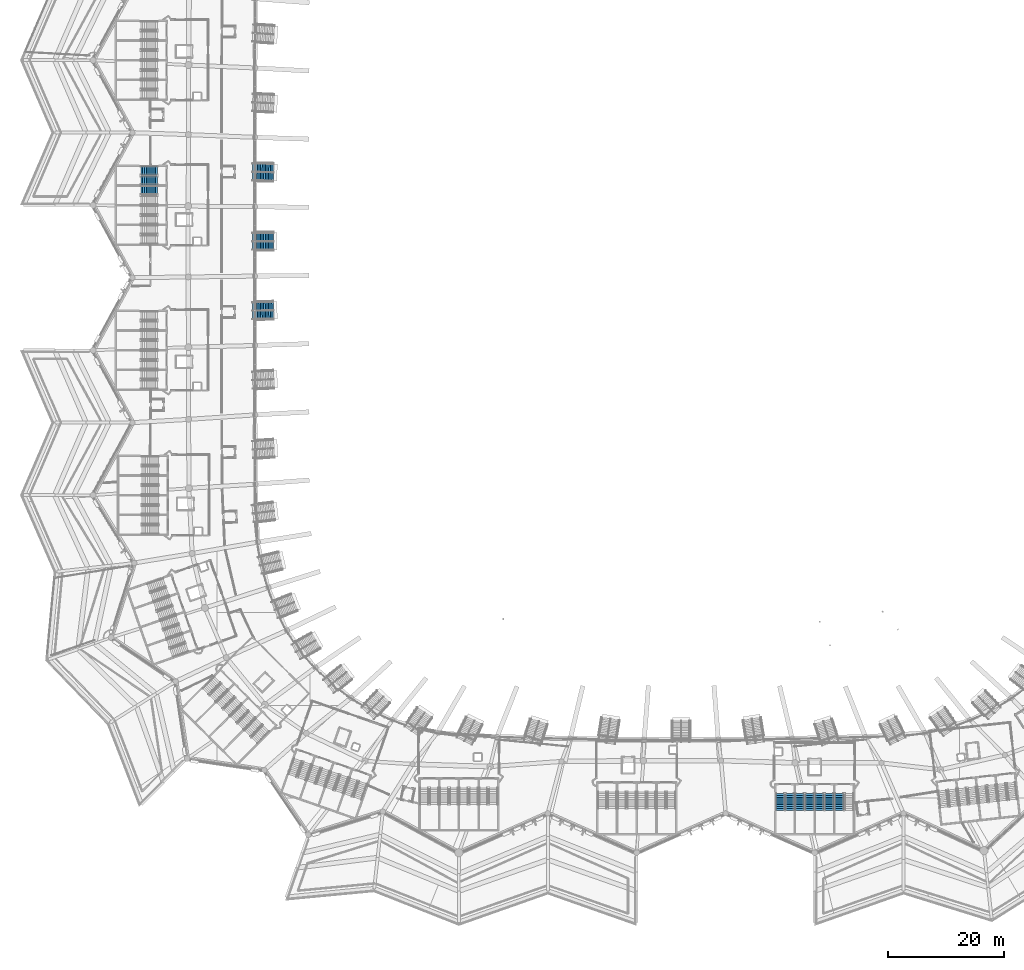
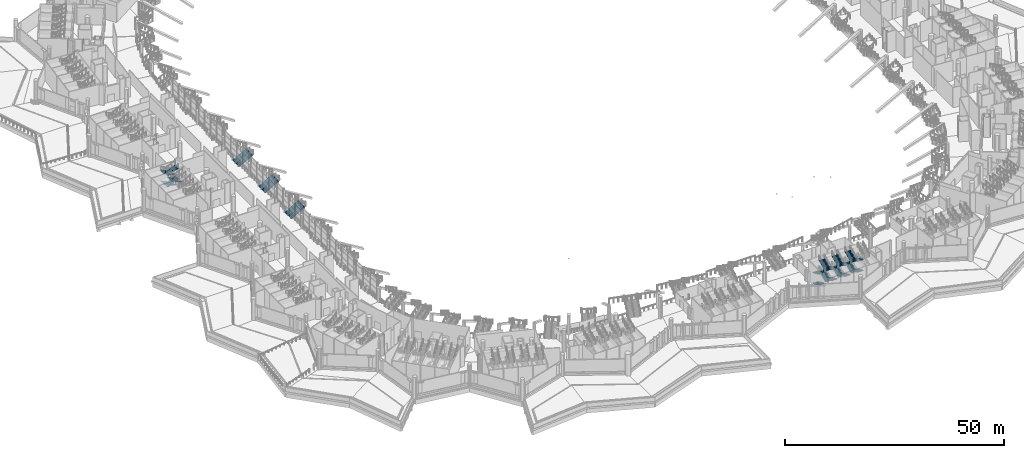
# One storey, part 86 of 173: 25 stair flights, 9 elements without a shape of their own.
"""IFC4 building model written with IfcOpenShell, lengths in metres."""

from ifc_helpers import new_model, si_unit, direction, frame, origin, place, context, subcontext, project, spatial, polyline, outline, extrude, material, type_object, element, aggregate, save


model = new_model("IFC4")

# Units and contexts
model_context = context("Model", 3, precision=1e-05, world=origin(), true_north=direction((0.0, 1.0)))
body_context = subcontext(model_context, "Body", "Model", "MODEL_VIEW")
ifc_project = project(units=[si_unit("LENGTHUNIT", "METRE"), si_unit("AREAUNIT", "SQUARE_METRE"), si_unit("VOLUMEUNIT", "CUBIC_METRE"), si_unit("PLANEANGLEUNIT", "RADIAN"), si_unit("MASSUNIT", "GRAM", prefix="KILO")], contexts=[model_context])

# Site, building, storey
site_placement = place(None, origin())
site = spatial("IfcSite", under=ifc_project, at=site_placement, CompositionType="ELEMENT")
building_placement = place(site_placement, origin())
building = spatial("IfcBuilding", under=site, at=building_placement, Name="Meseta Stadium", CompositionType="ELEMENT")
storey_placement = place(building_placement, frame((0.0, 0.0, 18.0)))
storey = spatial("IfcBuildingStorey", under=building, at=storey_placement, Name="L03", CompositionType="ELEMENT", Elevation=18.0)

# Stair, stair flights
ifc_material_1 = material(Name="Concrete C40/50", Category="concrete")
stair_type_1 = type_object("IfcStairType", Name="Exit stair 4 flights 150 mm risers", PredefinedType="HALF_TURN_STAIR", material=ifc_material_1)
stair_1_placement = place(storey_placement, origin())
stair_1 = element("IfcStair", 1, at=stair_1_placement, inside=storey, type_object=stair_type_1, Name="ST65 L03", PredefinedType="HALF_TURN_STAIR")
ifc_material_2 = material(Name="Concrete C40/50", Category="concrete")
stair_flight_type_1 = type_object("IfcStairFlightType", Name="Exit stair flight 150 mm risers, 4 per storey", PredefinedType="STRAIGHT", material=ifc_material_2)
stair_flight_1_placement = place(storey_placement, frame((-90.300048828125, 12.199951171875, 0.0), z_axis=(0.0, 0.0, 1.0), x_axis=(-1.0, 0.0, 0.0)))
stair_flight_1 = element("IfcStairFlight", 2, at=stair_flight_1_placement, type_object=stair_flight_type_1, Name="ST65 L03 flight 1", NumberOfRisers=10, NumberOfTreads=9, PredefinedType="STRAIGHT", RiserHeight=0.15, TreadLength=0.32, context=body_context, shape_type="SweptSolid", body=[
    extrude(outline(polyline([(0.0, 0.0), (0.0, 0.14990234375), (0.320068359375, 0.14990234375), (0.320068359375, 0.300048828125), (0.639892578125, 0.300048828125), (0.639892578125, 0.449951171875), (0.9599609375, 0.449951171875), (0.9599609375, 0.60009765625), (1.280029296875, 0.60009765625), (1.280029296875, 0.75), (1.60009765625, 0.75), (1.60009765625, 0.89990234375), (1.919921875, 0.89990234375), (1.919921875, 1.050048828125), (2.239990234375, 1.050048828125), (2.239990234375, 1.199951171875), (2.56005859375, 1.199951171875), (2.56005859375, 1.35009765625), (2.8798828125, 1.35009765625), (2.8798828125, 1.184326171875), (0.353271484375, 0.0), (0.0, 0.0)])), frame((0.0, 0.75, 0.0), z_axis=(0.0, -1.0, 0.0), x_axis=(1.0, 0.0, 0.0)), (0.0, 0.0, 1.0), 1.5),
])
stair_flight_2_placement = place(storey_placement, frame((-93.179931640625, 10.5, 1.5), z_axis=(0.0, 0.0, 1.0), x_axis=(1.0, 0.0, 0.0)))
stair_flight_2 = element("IfcStairFlight", 3, at=stair_flight_2_placement, type_object=stair_flight_type_1, Name="ST65 L03 flight 2", NumberOfRisers=10, NumberOfTreads=9, PredefinedType="STRAIGHT", RiserHeight=0.15, TreadLength=0.32, context=body_context, shape_type="SweptSolid", body=[
    extrude(outline(polyline([(0.0, 0.0), (0.0, 0.14990234375), (0.320068359375, 0.14990234375), (0.320068359375, 0.300048828125), (0.639892578125, 0.300048828125), (0.639892578125, 0.449951171875), (0.9599609375, 0.449951171875), (0.9599609375, 0.60009765625), (1.280029296875, 0.60009765625), (1.280029296875, 0.75), (1.60009765625, 0.75), (1.60009765625, 0.89990234375), (1.919921875, 0.89990234375), (1.919921875, 1.050048828125), (2.239990234375, 1.050048828125), (2.239990234375, 1.199951171875), (2.56005859375, 1.199951171875), (2.56005859375, 1.35009765625), (2.8798828125, 1.35009765625), (2.8798828125, 1.184326171875), (0.353271484375, 0.0), (0.0, 0.0)])), frame((0.0, 0.75, 0.0), z_axis=(0.0, -1.0, 0.0), x_axis=(1.0, 0.0, 0.0)), (0.0, 0.0, 1.0), 1.5),
])
stair_flight_3_placement = place(storey_placement, frame((-90.300048828125, 12.199951171875, 3.0), z_axis=(0.0, 0.0, 1.0), x_axis=(-1.0, 0.0, 0.0)))
stair_flight_3 = element("IfcStairFlight", 4, at=stair_flight_3_placement, type_object=stair_flight_type_1, Name="ST65 L03 flight 3", NumberOfRisers=10, NumberOfTreads=9, PredefinedType="STRAIGHT", RiserHeight=0.15, TreadLength=0.32, context=body_context, shape_type="SweptSolid", body=[
    extrude(outline(polyline([(0.0, 0.0), (0.0, 0.14990234375), (0.320068359375, 0.14990234375), (0.320068359375, 0.300048828125), (0.639892578125, 0.300048828125), (0.639892578125, 0.449951171875), (0.9599609375, 0.449951171875), (0.9599609375, 0.60009765625), (1.280029296875, 0.60009765625), (1.280029296875, 0.75), (1.60009765625, 0.75), (1.60009765625, 0.89990234375), (1.919921875, 0.89990234375), (1.919921875, 1.050048828125), (2.239990234375, 1.050048828125), (2.239990234375, 1.199951171875), (2.56005859375, 1.199951171875), (2.56005859375, 1.35009765625), (2.8798828125, 1.35009765625), (2.8798828125, 1.184326171875), (0.353271484375, 0.0), (0.0, 0.0)])), frame((0.0, 0.75, 0.0), z_axis=(0.0, -1.0, 0.0), x_axis=(1.0, 0.0, 0.0)), (0.0, 0.0, 1.0), 1.5),
])
stair_flight_4_placement = place(storey_placement, frame((-93.179931640625, 10.5, 4.5), z_axis=(0.0, 0.0, 1.0), x_axis=(1.0, 0.0, 0.0)))
stair_flight_4 = element("IfcStairFlight", 5, at=stair_flight_4_placement, type_object=stair_flight_type_1, Name="ST65 L03 flight 4", NumberOfRisers=10, NumberOfTreads=9, PredefinedType="STRAIGHT", RiserHeight=0.15, TreadLength=0.32, context=body_context, shape_type="SweptSolid", body=[
    extrude(outline(polyline([(0.0, 0.0), (0.0, 0.14990234375), (0.320068359375, 0.14990234375), (0.320068359375, 0.300048828125), (0.639892578125, 0.300048828125), (0.639892578125, 0.449951171875), (0.9599609375, 0.449951171875), (0.9599609375, 0.60009765625), (1.280029296875, 0.60009765625), (1.280029296875, 0.75), (1.60009765625, 0.75), (1.60009765625, 0.89990234375), (1.919921875, 0.89990234375), (1.919921875, 1.050048828125), (2.239990234375, 1.050048828125), (2.239990234375, 1.199951171875), (2.56005859375, 1.199951171875), (2.56005859375, 1.35009765625), (2.8798828125, 1.35009765625), (2.8798828125, 1.184326171875), (0.353271484375, 0.0), (0.0, 0.0)])), frame((0.0, 0.75, 0.0), z_axis=(0.0, -1.0, 0.0), x_axis=(1.0, 0.0, 0.0)), (0.0, 0.0, 1.0), 1.5),
])
aggregate(stair_1, [stair_flight_1, stair_flight_2, stair_flight_3, stair_flight_4])

# Stair, stair flight
stair_2_placement = place(storey_placement, origin())
stair_2 = element("IfcStair", 6, at=stair_2_placement, inside=storey, type_object=stair_type_1, Name="ST66 L03", PredefinedType="HALF_TURN_STAIR")
stair_flight_5_placement = place(storey_placement, frame((-90.300048828125, 8.800048828125, 3.0), z_axis=(0.0, 0.0, 1.0), x_axis=(-1.0, 0.0, 0.0)))
stair_flight_5 = element("IfcStairFlight", 7, at=stair_flight_5_placement, type_object=stair_flight_type_1, Name="ST66 L03 flight 3", NumberOfRisers=10, NumberOfTreads=9, PredefinedType="STRAIGHT", RiserHeight=0.15, TreadLength=0.32, context=body_context, shape_type="SweptSolid", body=[
    extrude(outline(polyline([(0.0, 0.0), (0.0, 0.14990234375), (0.320068359375, 0.14990234375), (0.320068359375, 0.300048828125), (0.639892578125, 0.300048828125), (0.639892578125, 0.449951171875), (0.9599609375, 0.449951171875), (0.9599609375, 0.60009765625), (1.280029296875, 0.60009765625), (1.280029296875, 0.75), (1.60009765625, 0.75), (1.60009765625, 0.89990234375), (1.919921875, 0.89990234375), (1.919921875, 1.050048828125), (2.239990234375, 1.050048828125), (2.239990234375, 1.199951171875), (2.56005859375, 1.199951171875), (2.56005859375, 1.35009765625), (2.8798828125, 1.35009765625), (2.8798828125, 1.184326171875), (0.353271484375, 0.0), (0.0, 0.0)])), frame((0.0, 0.75, 0.0), z_axis=(0.0, -1.0, 0.0), x_axis=(1.0, 0.0, 0.0)), (0.0, 0.0, 1.0), 1.5),
])
aggregate(stair_2, [stair_flight_5])

# Stair, stair flights
stair_3_placement = place(storey_placement, origin())
stair_3 = element("IfcStair", 8, at=stair_3_placement, inside=storey, type_object=stair_type_1, Name="ST97 L03", PredefinedType="HALF_TURN_STAIR")
stair_flight_6_placement = place(storey_placement, frame((17.050048828125, -95.199951171875, 0.0), z_axis=(0.0, 0.0, 1.0), x_axis=(0.0, -1.0, 0.0)))
stair_flight_6 = element("IfcStairFlight", 9, at=stair_flight_6_placement, type_object=stair_flight_type_1, Name="ST97 L03 flight 1", NumberOfRisers=10, NumberOfTreads=9, PredefinedType="STRAIGHT", RiserHeight=0.15, TreadLength=0.32, context=body_context, shape_type="SweptSolid", body=[
    extrude(outline(polyline([(0.0, 0.0), (0.0, 0.14990234375), (0.320068359375, 0.14990234375), (0.320068359375, 0.300048828125), (0.639892578125, 0.300048828125), (0.639892578125, 0.449951171875), (0.9599609375, 0.449951171875), (0.9599609375, 0.60009765625), (1.280029296875, 0.60009765625), (1.280029296875, 0.75), (1.60009765625, 0.75), (1.60009765625, 0.89990234375), (1.919921875, 0.89990234375), (1.919921875, 1.050048828125), (2.239990234375, 1.050048828125), (2.239990234375, 1.199951171875), (2.56005859375, 1.199951171875), (2.56005859375, 1.35009765625), (2.8798828125, 1.35009765625), (2.8798828125, 1.184326171875), (0.353271484375, 0.0), (0.0, 0.0)])), frame((0.0, 0.75, 0.0), z_axis=(0.0, -1.0, 0.0), x_axis=(1.0, 0.0, 0.0)), (0.0, 0.0, 1.0), 1.5),
])
stair_flight_7_placement = place(storey_placement, frame((18.75, -98.080078125, 1.5), z_axis=(0.0, 0.0, 1.0), x_axis=(0.0, 1.0, 0.0)))
stair_flight_7 = element("IfcStairFlight", 10, at=stair_flight_7_placement, type_object=stair_flight_type_1, Name="ST97 L03 flight 2", NumberOfRisers=10, NumberOfTreads=9, PredefinedType="STRAIGHT", RiserHeight=0.15, TreadLength=0.32, context=body_context, shape_type="SweptSolid", body=[
    extrude(outline(polyline([(0.0, 0.0), (0.0, 0.14990234375), (0.320068359375, 0.14990234375), (0.320068359375, 0.300048828125), (0.639892578125, 0.300048828125), (0.639892578125, 0.449951171875), (0.9599609375, 0.449951171875), (0.9599609375, 0.60009765625), (1.280029296875, 0.60009765625), (1.280029296875, 0.75), (1.60009765625, 0.75), (1.60009765625, 0.89990234375), (1.919921875, 0.89990234375), (1.919921875, 1.050048828125), (2.239990234375, 1.050048828125), (2.239990234375, 1.199951171875), (2.56005859375, 1.199951171875), (2.56005859375, 1.35009765625), (2.8798828125, 1.35009765625), (2.8798828125, 1.184326171875), (0.353271484375, 0.0), (0.0, 0.0)])), frame((0.0, 0.75, 0.0), z_axis=(0.0, -1.0, 0.0), x_axis=(1.0, 0.0, 0.0)), (0.0, 0.0, 1.0), 1.5),
])
stair_flight_8_placement = place(storey_placement, frame((17.050048828125, -95.199951171875, 3.0), z_axis=(0.0, 0.0, 1.0), x_axis=(0.0, -1.0, 0.0)))
stair_flight_8 = element("IfcStairFlight", 11, at=stair_flight_8_placement, type_object=stair_flight_type_1, Name="ST97 L03 flight 3", NumberOfRisers=10, NumberOfTreads=9, PredefinedType="STRAIGHT", RiserHeight=0.15, TreadLength=0.32, context=body_context, shape_type="SweptSolid", body=[
    extrude(outline(polyline([(0.0, 0.0), (0.0, 0.14990234375), (0.320068359375, 0.14990234375), (0.320068359375, 0.300048828125), (0.639892578125, 0.300048828125), (0.639892578125, 0.449951171875), (0.9599609375, 0.449951171875), (0.9599609375, 0.60009765625), (1.280029296875, 0.60009765625), (1.280029296875, 0.75), (1.60009765625, 0.75), (1.60009765625, 0.89990234375), (1.919921875, 0.89990234375), (1.919921875, 1.050048828125), (2.239990234375, 1.050048828125), (2.239990234375, 1.199951171875), (2.56005859375, 1.199951171875), (2.56005859375, 1.35009765625), (2.8798828125, 1.35009765625), (2.8798828125, 1.184326171875), (0.353271484375, 0.0), (0.0, 0.0)])), frame((0.0, 0.75, 0.0), z_axis=(0.0, -1.0, 0.0), x_axis=(1.0, 0.0, 0.0)), (0.0, 0.0, 1.0), 1.5),
])
stair_flight_9_placement = place(storey_placement, frame((18.75, -98.080078125, 4.5), z_axis=(0.0, 0.0, 1.0), x_axis=(0.0, 1.0, 0.0)))
stair_flight_9 = element("IfcStairFlight", 12, at=stair_flight_9_placement, type_object=stair_flight_type_1, Name="ST97 L03 flight 4", NumberOfRisers=10, NumberOfTreads=9, PredefinedType="STRAIGHT", RiserHeight=0.15, TreadLength=0.32, context=body_context, shape_type="SweptSolid", body=[
    extrude(outline(polyline([(0.0, 0.0), (0.0, 0.14990234375), (0.320068359375, 0.14990234375), (0.320068359375, 0.300048828125), (0.639892578125, 0.300048828125), (0.639892578125, 0.449951171875), (0.9599609375, 0.449951171875), (0.9599609375, 0.60009765625), (1.280029296875, 0.60009765625), (1.280029296875, 0.75), (1.60009765625, 0.75), (1.60009765625, 0.89990234375), (1.919921875, 0.89990234375), (1.919921875, 1.050048828125), (2.239990234375, 1.050048828125), (2.239990234375, 1.199951171875), (2.56005859375, 1.199951171875), (2.56005859375, 1.35009765625), (2.8798828125, 1.35009765625), (2.8798828125, 1.184326171875), (0.353271484375, 0.0), (0.0, 0.0)])), frame((0.0, 0.75, 0.0), z_axis=(0.0, -1.0, 0.0), x_axis=(1.0, 0.0, 0.0)), (0.0, 0.0, 1.0), 1.5),
])
aggregate(stair_3, [stair_flight_6, stair_flight_7, stair_flight_8, stair_flight_9])

stair_4_placement = place(storey_placement, origin())
stair_4 = element("IfcStair", 13, at=stair_4_placement, inside=storey, type_object=stair_type_1, Name="ST98 L03", PredefinedType="HALF_TURN_STAIR")
stair_flight_10_placement = place(storey_placement, frame((20.449951171875, -95.199951171875, 0.0), z_axis=(0.0, 0.0, 1.0), x_axis=(0.0, -1.0, 0.0)))
stair_flight_10 = element("IfcStairFlight", 14, at=stair_flight_10_placement, type_object=stair_flight_type_1, Name="ST98 L03 flight 1", NumberOfRisers=10, NumberOfTreads=9, PredefinedType="STRAIGHT", RiserHeight=0.15, TreadLength=0.32, context=body_context, shape_type="SweptSolid", body=[
    extrude(outline(polyline([(0.0, 0.0), (0.0, 0.14990234375), (0.320068359375, 0.14990234375), (0.320068359375, 0.300048828125), (0.639892578125, 0.300048828125), (0.639892578125, 0.449951171875), (0.9599609375, 0.449951171875), (0.9599609375, 0.60009765625), (1.280029296875, 0.60009765625), (1.280029296875, 0.75), (1.60009765625, 0.75), (1.60009765625, 0.89990234375), (1.919921875, 0.89990234375), (1.919921875, 1.050048828125), (2.239990234375, 1.050048828125), (2.239990234375, 1.199951171875), (2.56005859375, 1.199951171875), (2.56005859375, 1.35009765625), (2.8798828125, 1.35009765625), (2.8798828125, 1.184326171875), (0.353271484375, 0.0), (0.0, 0.0)])), frame((0.0, 0.75, 0.0), z_axis=(0.0, -1.0, 0.0), x_axis=(1.0, 0.0, 0.0)), (0.0, 0.0, 1.0), 1.5),
])
stair_flight_11_placement = place(storey_placement, frame((22.14990234375, -98.080078125, 1.5), z_axis=(0.0, 0.0, 1.0), x_axis=(0.0, 1.0, 0.0)))
stair_flight_11 = element("IfcStairFlight", 15, at=stair_flight_11_placement, type_object=stair_flight_type_1, Name="ST98 L03 flight 2", NumberOfRisers=10, NumberOfTreads=9, PredefinedType="STRAIGHT", RiserHeight=0.15, TreadLength=0.32, context=body_context, shape_type="SweptSolid", body=[
    extrude(outline(polyline([(0.0, 0.0), (0.0, 0.14990234375), (0.320068359375, 0.14990234375), (0.320068359375, 0.300048828125), (0.639892578125, 0.300048828125), (0.639892578125, 0.449951171875), (0.9599609375, 0.449951171875), (0.9599609375, 0.60009765625), (1.280029296875, 0.60009765625), (1.280029296875, 0.75), (1.60009765625, 0.75), (1.60009765625, 0.89990234375), (1.919921875, 0.89990234375), (1.919921875, 1.050048828125), (2.239990234375, 1.050048828125), (2.239990234375, 1.199951171875), (2.56005859375, 1.199951171875), (2.56005859375, 1.35009765625), (2.8798828125, 1.35009765625), (2.8798828125, 1.184326171875), (0.353271484375, 0.0), (0.0, 0.0)])), frame((0.0, 0.75, 0.0), z_axis=(0.0, -1.0, 0.0), x_axis=(1.0, 0.0, 0.0)), (0.0, 0.0, 1.0), 1.5),
])
stair_flight_12_placement = place(storey_placement, frame((20.449951171875, -95.199951171875, 3.0), z_axis=(0.0, 0.0, 1.0), x_axis=(0.0, -1.0, 0.0)))
stair_flight_12 = element("IfcStairFlight", 16, at=stair_flight_12_placement, type_object=stair_flight_type_1, Name="ST98 L03 flight 3", NumberOfRisers=10, NumberOfTreads=9, PredefinedType="STRAIGHT", RiserHeight=0.15, TreadLength=0.32, context=body_context, shape_type="SweptSolid", body=[
    extrude(outline(polyline([(0.0, 0.0), (0.0, 0.14990234375), (0.320068359375, 0.14990234375), (0.320068359375, 0.300048828125), (0.639892578125, 0.300048828125), (0.639892578125, 0.449951171875), (0.9599609375, 0.449951171875), (0.9599609375, 0.60009765625), (1.280029296875, 0.60009765625), (1.280029296875, 0.75), (1.60009765625, 0.75), (1.60009765625, 0.89990234375), (1.919921875, 0.89990234375), (1.919921875, 1.050048828125), (2.239990234375, 1.050048828125), (2.239990234375, 1.199951171875), (2.56005859375, 1.199951171875), (2.56005859375, 1.35009765625), (2.8798828125, 1.35009765625), (2.8798828125, 1.184326171875), (0.353271484375, 0.0), (0.0, 0.0)])), frame((0.0, 0.75, 0.0), z_axis=(0.0, -1.0, 0.0), x_axis=(1.0, 0.0, 0.0)), (0.0, 0.0, 1.0), 1.5),
])
stair_flight_13_placement = place(storey_placement, frame((22.14990234375, -98.080078125, 4.5), z_axis=(0.0, 0.0, 1.0), x_axis=(0.0, 1.0, 0.0)))
stair_flight_13 = element("IfcStairFlight", 17, at=stair_flight_13_placement, type_object=stair_flight_type_1, Name="ST98 L03 flight 4", NumberOfRisers=10, NumberOfTreads=9, PredefinedType="STRAIGHT", RiserHeight=0.15, TreadLength=0.32, context=body_context, shape_type="SweptSolid", body=[
    extrude(outline(polyline([(0.0, 0.0), (0.0, 0.14990234375), (0.320068359375, 0.14990234375), (0.320068359375, 0.300048828125), (0.639892578125, 0.300048828125), (0.639892578125, 0.449951171875), (0.9599609375, 0.449951171875), (0.9599609375, 0.60009765625), (1.280029296875, 0.60009765625), (1.280029296875, 0.75), (1.60009765625, 0.75), (1.60009765625, 0.89990234375), (1.919921875, 0.89990234375), (1.919921875, 1.050048828125), (2.239990234375, 1.050048828125), (2.239990234375, 1.199951171875), (2.56005859375, 1.199951171875), (2.56005859375, 1.35009765625), (2.8798828125, 1.35009765625), (2.8798828125, 1.184326171875), (0.353271484375, 0.0), (0.0, 0.0)])), frame((0.0, 0.75, 0.0), z_axis=(0.0, -1.0, 0.0), x_axis=(1.0, 0.0, 0.0)), (0.0, 0.0, 1.0), 1.5),
])
aggregate(stair_4, [stair_flight_10, stair_flight_11, stair_flight_12, stair_flight_13])

stair_5_placement = place(storey_placement, origin())
stair_5 = element("IfcStair", 18, at=stair_5_placement, inside=storey, type_object=stair_type_1, Name="ST99 L03", PredefinedType="HALF_TURN_STAIR")
stair_flight_14_placement = place(storey_placement, frame((23.85009765625, -95.199951171875, 0.0), z_axis=(0.0, 0.0, 1.0), x_axis=(0.0, -1.0, 0.0)))
stair_flight_14 = element("IfcStairFlight", 19, at=stair_flight_14_placement, type_object=stair_flight_type_1, Name="ST99 L03 flight 1", NumberOfRisers=10, NumberOfTreads=9, PredefinedType="STRAIGHT", RiserHeight=0.15, TreadLength=0.32, context=body_context, shape_type="SweptSolid", body=[
    extrude(outline(polyline([(0.0, 0.0), (0.0, 0.14990234375), (0.320068359375, 0.14990234375), (0.320068359375, 0.300048828125), (0.639892578125, 0.300048828125), (0.639892578125, 0.449951171875), (0.9599609375, 0.449951171875), (0.9599609375, 0.60009765625), (1.280029296875, 0.60009765625), (1.280029296875, 0.75), (1.60009765625, 0.75), (1.60009765625, 0.89990234375), (1.919921875, 0.89990234375), (1.919921875, 1.050048828125), (2.239990234375, 1.050048828125), (2.239990234375, 1.199951171875), (2.56005859375, 1.199951171875), (2.56005859375, 1.35009765625), (2.8798828125, 1.35009765625), (2.8798828125, 1.184326171875), (0.353271484375, 0.0), (0.0, 0.0)])), frame((0.0, 0.75, 0.0), z_axis=(0.0, -1.0, 0.0), x_axis=(1.0, 0.0, 0.0)), (0.0, 0.0, 1.0), 1.5),
])
stair_flight_15_placement = place(storey_placement, frame((25.550048828125, -98.080078125, 1.5), z_axis=(0.0, 0.0, 1.0), x_axis=(0.0, 1.0, 0.0)))
stair_flight_15 = element("IfcStairFlight", 20, at=stair_flight_15_placement, type_object=stair_flight_type_1, Name="ST99 L03 flight 2", NumberOfRisers=10, NumberOfTreads=9, PredefinedType="STRAIGHT", RiserHeight=0.15, TreadLength=0.32, context=body_context, shape_type="SweptSolid", body=[
    extrude(outline(polyline([(0.0, 0.0), (0.0, 0.14990234375), (0.320068359375, 0.14990234375), (0.320068359375, 0.300048828125), (0.639892578125, 0.300048828125), (0.639892578125, 0.449951171875), (0.9599609375, 0.449951171875), (0.9599609375, 0.60009765625), (1.280029296875, 0.60009765625), (1.280029296875, 0.75), (1.60009765625, 0.75), (1.60009765625, 0.89990234375), (1.919921875, 0.89990234375), (1.919921875, 1.050048828125), (2.239990234375, 1.050048828125), (2.239990234375, 1.199951171875), (2.56005859375, 1.199951171875), (2.56005859375, 1.35009765625), (2.8798828125, 1.35009765625), (2.8798828125, 1.184326171875), (0.353271484375, 0.0), (0.0, 0.0)])), frame((0.0, 0.75, 0.0), z_axis=(0.0, -1.0, 0.0), x_axis=(1.0, 0.0, 0.0)), (0.0, 0.0, 1.0), 1.5),
])
stair_flight_16_placement = place(storey_placement, frame((23.85009765625, -95.199951171875, 3.0), z_axis=(0.0, 0.0, 1.0), x_axis=(0.0, -1.0, 0.0)))
stair_flight_16 = element("IfcStairFlight", 21, at=stair_flight_16_placement, type_object=stair_flight_type_1, Name="ST99 L03 flight 3", NumberOfRisers=10, NumberOfTreads=9, PredefinedType="STRAIGHT", RiserHeight=0.15, TreadLength=0.32, context=body_context, shape_type="SweptSolid", body=[
    extrude(outline(polyline([(0.0, 0.0), (0.0, 0.14990234375), (0.320068359375, 0.14990234375), (0.320068359375, 0.300048828125), (0.639892578125, 0.300048828125), (0.639892578125, 0.449951171875), (0.9599609375, 0.449951171875), (0.9599609375, 0.60009765625), (1.280029296875, 0.60009765625), (1.280029296875, 0.75), (1.60009765625, 0.75), (1.60009765625, 0.89990234375), (1.919921875, 0.89990234375), (1.919921875, 1.050048828125), (2.239990234375, 1.050048828125), (2.239990234375, 1.199951171875), (2.56005859375, 1.199951171875), (2.56005859375, 1.35009765625), (2.8798828125, 1.35009765625), (2.8798828125, 1.184326171875), (0.353271484375, 0.0), (0.0, 0.0)])), frame((0.0, 0.75, 0.0), z_axis=(0.0, -1.0, 0.0), x_axis=(1.0, 0.0, 0.0)), (0.0, 0.0, 1.0), 1.5),
])
stair_flight_17_placement = place(storey_placement, frame((25.550048828125, -98.080078125, 4.5), z_axis=(0.0, 0.0, 1.0), x_axis=(0.0, 1.0, 0.0)))
stair_flight_17 = element("IfcStairFlight", 22, at=stair_flight_17_placement, type_object=stair_flight_type_1, Name="ST99 L03 flight 4", NumberOfRisers=10, NumberOfTreads=9, PredefinedType="STRAIGHT", RiserHeight=0.15, TreadLength=0.32, context=body_context, shape_type="SweptSolid", body=[
    extrude(outline(polyline([(0.0, 0.0), (0.0, 0.14990234375), (0.320068359375, 0.14990234375), (0.320068359375, 0.300048828125), (0.639892578125, 0.300048828125), (0.639892578125, 0.449951171875), (0.9599609375, 0.449951171875), (0.9599609375, 0.60009765625), (1.280029296875, 0.60009765625), (1.280029296875, 0.75), (1.60009765625, 0.75), (1.60009765625, 0.89990234375), (1.919921875, 0.89990234375), (1.919921875, 1.050048828125), (2.239990234375, 1.050048828125), (2.239990234375, 1.199951171875), (2.56005859375, 1.199951171875), (2.56005859375, 1.35009765625), (2.8798828125, 1.35009765625), (2.8798828125, 1.184326171875), (0.353271484375, 0.0), (0.0, 0.0)])), frame((0.0, 0.75, 0.0), z_axis=(0.0, -1.0, 0.0), x_axis=(1.0, 0.0, 0.0)), (0.0, 0.0, 1.0), 1.5),
])
aggregate(stair_5, [stair_flight_14, stair_flight_15, stair_flight_16, stair_flight_17])

stair_6_placement = place(storey_placement, origin())
stair_6 = element("IfcStair", 23, at=stair_6_placement, inside=storey, type_object=stair_type_1, Name="ST100 L03", PredefinedType="HALF_TURN_STAIR")
stair_flight_18_placement = place(storey_placement, frame((27.25, -95.199951171875, 0.0), z_axis=(0.0, 0.0, 1.0), x_axis=(0.0, -1.0, 0.0)))
stair_flight_18 = element("IfcStairFlight", 24, at=stair_flight_18_placement, type_object=stair_flight_type_1, Name="ST100 L03 flight 1", NumberOfRisers=10, NumberOfTreads=9, PredefinedType="STRAIGHT", RiserHeight=0.15, TreadLength=0.32, context=body_context, shape_type="SweptSolid", body=[
    extrude(outline(polyline([(0.0, 0.0), (0.0, 0.14990234375), (0.320068359375, 0.14990234375), (0.320068359375, 0.300048828125), (0.639892578125, 0.300048828125), (0.639892578125, 0.449951171875), (0.9599609375, 0.449951171875), (0.9599609375, 0.60009765625), (1.280029296875, 0.60009765625), (1.280029296875, 0.75), (1.60009765625, 0.75), (1.60009765625, 0.89990234375), (1.919921875, 0.89990234375), (1.919921875, 1.050048828125), (2.239990234375, 1.050048828125), (2.239990234375, 1.199951171875), (2.56005859375, 1.199951171875), (2.56005859375, 1.35009765625), (2.8798828125, 1.35009765625), (2.8798828125, 1.184326171875), (0.353271484375, 0.0), (0.0, 0.0)])), frame((0.0, 0.75, 0.0), z_axis=(0.0, -1.0, 0.0), x_axis=(1.0, 0.0, 0.0)), (0.0, 0.0, 1.0), 1.5),
])
stair_flight_19_placement = place(storey_placement, frame((27.25, -95.199951171875, 3.0), z_axis=(0.0, 0.0, 1.0), x_axis=(0.0, -1.0, 0.0)))
stair_flight_19 = element("IfcStairFlight", 25, at=stair_flight_19_placement, type_object=stair_flight_type_1, Name="ST100 L03 flight 3", NumberOfRisers=10, NumberOfTreads=9, PredefinedType="STRAIGHT", RiserHeight=0.15, TreadLength=0.32, context=body_context, shape_type="SweptSolid", body=[
    extrude(outline(polyline([(0.0, 0.0), (0.0, 0.14990234375), (0.320068359375, 0.14990234375), (0.320068359375, 0.300048828125), (0.639892578125, 0.300048828125), (0.639892578125, 0.449951171875), (0.9599609375, 0.449951171875), (0.9599609375, 0.60009765625), (1.280029296875, 0.60009765625), (1.280029296875, 0.75), (1.60009765625, 0.75), (1.60009765625, 0.89990234375), (1.919921875, 0.89990234375), (1.919921875, 1.050048828125), (2.239990234375, 1.050048828125), (2.239990234375, 1.199951171875), (2.56005859375, 1.199951171875), (2.56005859375, 1.35009765625), (2.8798828125, 1.35009765625), (2.8798828125, 1.184326171875), (0.353271484375, 0.0), (0.0, 0.0)])), frame((0.0, 0.75, 0.0), z_axis=(0.0, -1.0, 0.0), x_axis=(1.0, 0.0, 0.0)), (0.0, 0.0, 1.0), 1.5),
])
aggregate(stair_6, [stair_flight_18, stair_flight_19])

ifc_material_3 = material(Name="Concrete C40/50", Category="concrete")
stair_type_2 = type_object("IfcStairType", Name="Vomitory stair 3000", PredefinedType="STRAIGHT_RUN_STAIR", material=ifc_material_3)
stair_7_placement = place(storey_placement, origin())
stair_7 = element("IfcStair", 26, at=stair_7_placement, inside=storey, type_object=stair_type_2, Name="Vomitory V-upper-32", PredefinedType="STRAIGHT_RUN_STAIR")
ifc_material_4 = material(Name="Concrete C40/50", Category="concrete")
stair_flight_type_2 = type_object("IfcStairFlightType", Name="Vomitory stair flight 1450", PredefinedType="STRAIGHT", material=ifc_material_4)
stair_flight_20_placement = place(storey_placement, frame((-73.913330078125, 12.746826171875, 0.0), z_axis=(0.0, 0.0, 1.0), x_axis=(0.999759622364, -0.021924814479, 0.0)))
stair_flight_20 = element("IfcStairFlight", 27, at=stair_flight_20_placement, type_object=stair_flight_type_2, Name="Vomitory V-upper-32 flight 1", NumberOfRisers=14, NumberOfTreads=13, PredefinedType="STRAIGHT", RiserHeight=0.165139, TreadLength=0.28, context=body_context, shape_type="SweptSolid", body=[
    extrude(outline(polyline([(0.0, 0.0), (0.0, 0.1650390625), (0.280029296875, 0.1650390625), (0.280029296875, 0.330322265625), (0.56005859375, 0.330322265625), (0.56005859375, 0.495361328125), (0.840087890625, 0.495361328125), (0.840087890625, 0.66064453125), (1.1201171875, 0.66064453125), (1.1201171875, 0.82568359375), (1.39990234375, 0.82568359375), (1.39990234375, 0.99072265625), (1.679931640625, 0.99072265625), (1.679931640625, 1.156005859375), (1.9599609375, 1.156005859375), (1.9599609375, 1.321044921875), (2.239990234375, 1.321044921875), (2.239990234375, 1.486328125), (2.52001953125, 1.486328125), (2.52001953125, 1.6513671875), (2.800048828125, 1.6513671875), (2.800048828125, 1.816650390625), (3.080078125, 1.816650390625), (3.080078125, 1.981689453125), (3.360107421875, 1.981689453125), (3.360107421875, 2.146728515625), (3.639892578125, 2.146728515625), (3.639892578125, 1.97265625), (0.295166015625, 0.0), (0.0, 0.0)])), frame((0.0, 0.72509765625, 0.0), z_axis=(0.0, -1.0, 0.0), x_axis=(1.0, 0.0, 0.0)), (0.0, 0.0, 1.0), 1.449951171875),
])
stair_flight_21_placement = place(storey_placement, frame((-73.947265625, 11.197265625, 0.0), z_axis=(0.0, 0.0, 1.0), x_axis=(0.999759622364, -0.021924814479, 0.0)))
stair_flight_21 = element("IfcStairFlight", 28, at=stair_flight_21_placement, type_object=stair_flight_type_2, Name="Vomitory V-upper-32 flight 2", NumberOfRisers=14, NumberOfTreads=13, PredefinedType="STRAIGHT", RiserHeight=0.165139, TreadLength=0.28, context=body_context, shape_type="SweptSolid", body=[
    extrude(outline(polyline([(0.0, 0.0), (0.0, 0.1650390625), (0.280029296875, 0.1650390625), (0.280029296875, 0.330322265625), (0.56005859375, 0.330322265625), (0.56005859375, 0.495361328125), (0.840087890625, 0.495361328125), (0.840087890625, 0.66064453125), (1.1201171875, 0.66064453125), (1.1201171875, 0.82568359375), (1.39990234375, 0.82568359375), (1.39990234375, 0.99072265625), (1.679931640625, 0.99072265625), (1.679931640625, 1.156005859375), (1.9599609375, 1.156005859375), (1.9599609375, 1.321044921875), (2.239990234375, 1.321044921875), (2.239990234375, 1.486328125), (2.52001953125, 1.486328125), (2.52001953125, 1.6513671875), (2.800048828125, 1.6513671875), (2.800048828125, 1.816650390625), (3.080078125, 1.816650390625), (3.080078125, 1.981689453125), (3.360107421875, 1.981689453125), (3.360107421875, 2.146728515625), (3.639892578125, 2.146728515625), (3.639892578125, 1.97265625), (0.295166015625, 0.0), (0.0, 0.0)])), frame((0.0, 0.72509765625, 0.0), z_axis=(0.0, -1.0, 0.0), x_axis=(1.0, 0.0, 0.0)), (0.0, 0.0, 1.0), 1.449951171875),
])
aggregate(stair_7, [stair_flight_20, stair_flight_21])

stair_8_placement = place(storey_placement, origin())
stair_8 = element("IfcStair", 29, at=stair_8_placement, inside=storey, type_object=stair_type_2, Name="Vomitory V-upper-33", PredefinedType="STRAIGHT_RUN_STAIR")
stair_flight_22_placement = place(storey_placement, frame((-73.938232421875, 0.77490234375, 0.0), z_axis=(0.0, 0.0, 1.0), x_axis=(1.0, 0.0, 0.0)))
stair_flight_22 = element("IfcStairFlight", 30, at=stair_flight_22_placement, type_object=stair_flight_type_2, Name="Vomitory V-upper-33 flight 1", NumberOfRisers=14, NumberOfTreads=13, PredefinedType="STRAIGHT", RiserHeight=0.165139, TreadLength=0.28, context=body_context, shape_type="SweptSolid", body=[
    extrude(outline(polyline([(0.0, 0.0), (0.0, 0.1650390625), (0.280029296875, 0.1650390625), (0.280029296875, 0.330322265625), (0.56005859375, 0.330322265625), (0.56005859375, 0.495361328125), (0.840087890625, 0.495361328125), (0.840087890625, 0.66064453125), (1.1201171875, 0.66064453125), (1.1201171875, 0.82568359375), (1.39990234375, 0.82568359375), (1.39990234375, 0.99072265625), (1.679931640625, 0.99072265625), (1.679931640625, 1.156005859375), (1.9599609375, 1.156005859375), (1.9599609375, 1.321044921875), (2.239990234375, 1.321044921875), (2.239990234375, 1.486328125), (2.52001953125, 1.486328125), (2.52001953125, 1.6513671875), (2.800048828125, 1.6513671875), (2.800048828125, 1.816650390625), (3.080078125, 1.816650390625), (3.080078125, 1.981689453125), (3.360107421875, 1.981689453125), (3.360107421875, 2.146728515625), (3.639892578125, 2.146728515625), (3.639892578125, 1.97265625), (0.295166015625, 0.0), (0.0, 0.0)])), frame((0.0, 0.72509765625, 0.0), z_axis=(0.0, -1.0, 0.0), x_axis=(1.0, 0.0, 0.0)), (0.0, 0.0, 1.0), 1.449951171875),
])
stair_flight_23_placement = place(storey_placement, frame((-73.938232421875, -0.77490234375, 0.0), z_axis=(0.0, 0.0, 1.0), x_axis=(1.0, 0.0, 0.0)))
stair_flight_23 = element("IfcStairFlight", 31, at=stair_flight_23_placement, type_object=stair_flight_type_2, Name="Vomitory V-upper-33 flight 2", NumberOfRisers=14, NumberOfTreads=13, PredefinedType="STRAIGHT", RiserHeight=0.165139, TreadLength=0.28, context=body_context, shape_type="SweptSolid", body=[
    extrude(outline(polyline([(0.0, 0.0), (0.0, 0.1650390625), (0.280029296875, 0.1650390625), (0.280029296875, 0.330322265625), (0.56005859375, 0.330322265625), (0.56005859375, 0.495361328125), (0.840087890625, 0.495361328125), (0.840087890625, 0.66064453125), (1.1201171875, 0.66064453125), (1.1201171875, 0.82568359375), (1.39990234375, 0.82568359375), (1.39990234375, 0.99072265625), (1.679931640625, 0.99072265625), (1.679931640625, 1.156005859375), (1.9599609375, 1.156005859375), (1.9599609375, 1.321044921875), (2.239990234375, 1.321044921875), (2.239990234375, 1.486328125), (2.52001953125, 1.486328125), (2.52001953125, 1.6513671875), (2.800048828125, 1.6513671875), (2.800048828125, 1.816650390625), (3.080078125, 1.816650390625), (3.080078125, 1.981689453125), (3.360107421875, 1.981689453125), (3.360107421875, 2.146728515625), (3.639892578125, 2.146728515625), (3.639892578125, 1.97265625), (0.295166015625, 0.0), (0.0, 0.0)])), frame((0.0, 0.72509765625, 0.0), z_axis=(0.0, -1.0, 0.0), x_axis=(1.0, 0.0, 0.0)), (0.0, 0.0, 1.0), 1.449951171875),
])
aggregate(stair_8, [stair_flight_22, stair_flight_23])

stair_9_placement = place(storey_placement, origin())
stair_9 = element("IfcStair", 32, at=stair_9_placement, inside=storey, type_object=stair_type_2, Name="Vomitory V-upper-34", PredefinedType="STRAIGHT_RUN_STAIR")
stair_flight_24_placement = place(storey_placement, frame((-73.947265625, -11.197265625, 0.0), z_axis=(0.0, 0.0, 1.0), x_axis=(0.999759622364, 0.021924814479, 0.0)))
stair_flight_24 = element("IfcStairFlight", 33, at=stair_flight_24_placement, type_object=stair_flight_type_2, Name="Vomitory V-upper-34 flight 1", NumberOfRisers=14, NumberOfTreads=13, PredefinedType="STRAIGHT", RiserHeight=0.165139, TreadLength=0.28, context=body_context, shape_type="SweptSolid", body=[
    extrude(outline(polyline([(0.0, 0.0), (0.0, 0.1650390625), (0.280029296875, 0.1650390625), (0.280029296875, 0.330322265625), (0.56005859375, 0.330322265625), (0.56005859375, 0.495361328125), (0.840087890625, 0.495361328125), (0.840087890625, 0.66064453125), (1.1201171875, 0.66064453125), (1.1201171875, 0.82568359375), (1.39990234375, 0.82568359375), (1.39990234375, 0.99072265625), (1.679931640625, 0.99072265625), (1.679931640625, 1.156005859375), (1.9599609375, 1.156005859375), (1.9599609375, 1.321044921875), (2.239990234375, 1.321044921875), (2.239990234375, 1.486328125), (2.52001953125, 1.486328125), (2.52001953125, 1.6513671875), (2.800048828125, 1.6513671875), (2.800048828125, 1.816650390625), (3.080078125, 1.816650390625), (3.080078125, 1.981689453125), (3.360107421875, 1.981689453125), (3.360107421875, 2.146728515625), (3.639892578125, 2.146728515625), (3.639892578125, 1.97265625), (0.295166015625, 0.0), (0.0, 0.0)])), frame((0.0, 0.72509765625, 0.0), z_axis=(0.0, -1.0, 0.0), x_axis=(1.0, 0.0, 0.0)), (0.0, 0.0, 1.0), 1.449951171875),
])
stair_flight_25_placement = place(storey_placement, frame((-73.913330078125, -12.746826171875, 0.0), z_axis=(0.0, 0.0, 1.0), x_axis=(0.999759622364, 0.021924814479, 0.0)))
stair_flight_25 = element("IfcStairFlight", 34, at=stair_flight_25_placement, type_object=stair_flight_type_2, Name="Vomitory V-upper-34 flight 2", NumberOfRisers=14, NumberOfTreads=13, PredefinedType="STRAIGHT", RiserHeight=0.165139, TreadLength=0.28, context=body_context, shape_type="SweptSolid", body=[
    extrude(outline(polyline([(0.0, 0.0), (0.0, 0.1650390625), (0.280029296875, 0.1650390625), (0.280029296875, 0.330322265625), (0.56005859375, 0.330322265625), (0.56005859375, 0.495361328125), (0.840087890625, 0.495361328125), (0.840087890625, 0.66064453125), (1.1201171875, 0.66064453125), (1.1201171875, 0.82568359375), (1.39990234375, 0.82568359375), (1.39990234375, 0.99072265625), (1.679931640625, 0.99072265625), (1.679931640625, 1.156005859375), (1.9599609375, 1.156005859375), (1.9599609375, 1.321044921875), (2.239990234375, 1.321044921875), (2.239990234375, 1.486328125), (2.52001953125, 1.486328125), (2.52001953125, 1.6513671875), (2.800048828125, 1.6513671875), (2.800048828125, 1.816650390625), (3.080078125, 1.816650390625), (3.080078125, 1.981689453125), (3.360107421875, 1.981689453125), (3.360107421875, 2.146728515625), (3.639892578125, 2.146728515625), (3.639892578125, 1.97265625), (0.295166015625, 0.0), (0.0, 0.0)])), frame((0.0, 0.72509765625, 0.0), z_axis=(0.0, -1.0, 0.0), x_axis=(1.0, 0.0, 0.0)), (0.0, 0.0, 1.0), 1.449951171875),
])
aggregate(stair_9, [stair_flight_24, stair_flight_25])

save(model, "model.ifc")
